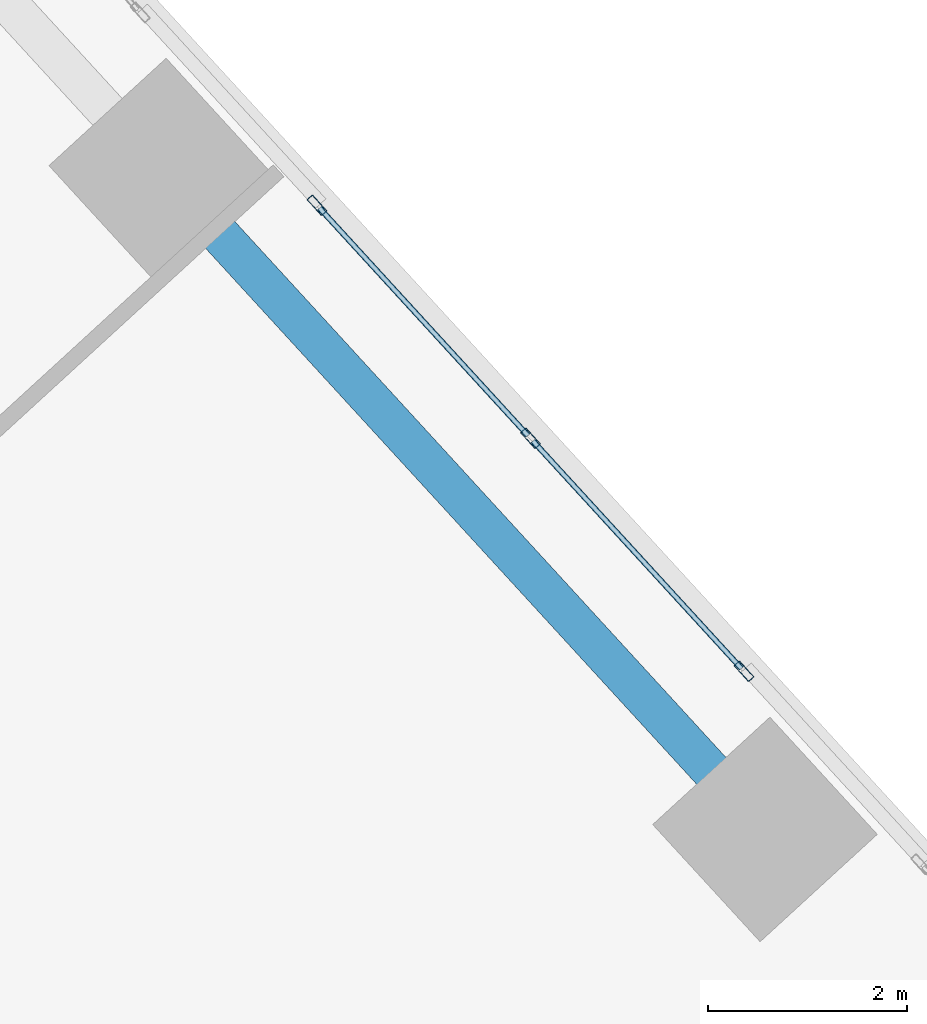
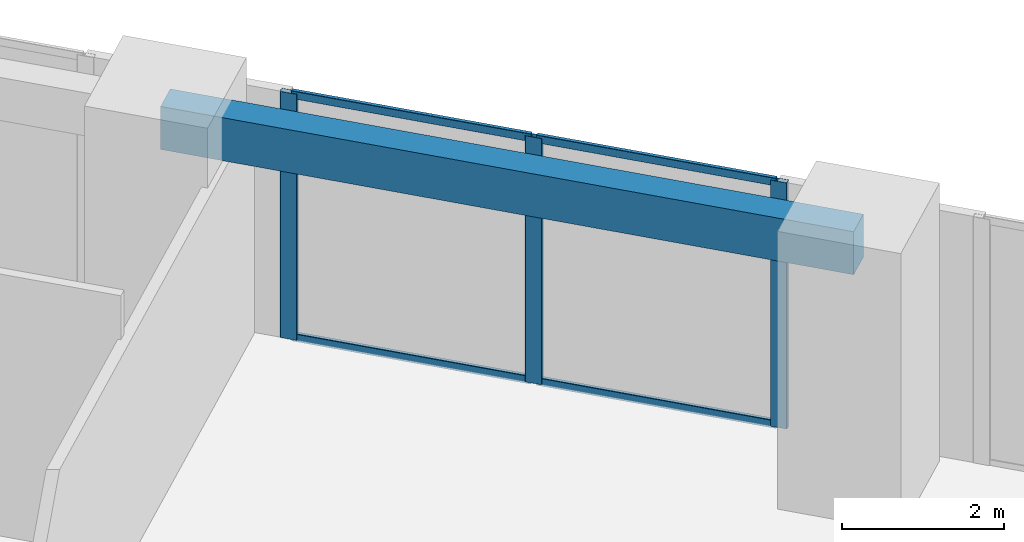
# One storey, part 7 of 17: 7 members, 1 beam, 1 element without a shape of its own.
"""IFC4 building model written with IfcOpenShell, lengths in metres."""

from ifc_helpers import new_model, si_unit, direction, frame, origin, origin_2d, place, context, subcontext, project, spatial, rectangle, hollow_rectangle, extrude, source, transform, mapped, material, material_profile, profile_set, type_object, element, aggregate, save


model = new_model("IFC4")

# Units and contexts
model_context = context("Model", 3, precision=1e-05, world=origin(), true_north=direction((0.0, 1.0)))
body_context = subcontext(model_context, "Body", "Model", "MODEL_VIEW")
ifc_project = project(units=[si_unit("LENGTHUNIT", "METRE"), si_unit("AREAUNIT", "SQUARE_METRE"), si_unit("VOLUMEUNIT", "CUBIC_METRE"), si_unit("PLANEANGLEUNIT", "RADIAN"), si_unit("MASSUNIT", "GRAM", prefix="KILO")], contexts=[model_context])

# Site, building, storey
site_placement = place(None, origin())
site = spatial("IfcSite", under=ifc_project, at=site_placement, CompositionType="ELEMENT")
building_placement = place(site_placement, origin())
building = spatial("IfcBuilding", under=site, at=building_placement, Name="Torre Montelarca", CompositionType="ELEMENT")
storey_placement = place(building_placement, frame((0.0, 0.0, 254.199951171875)))
storey = spatial("IfcBuildingStorey", under=building, at=storey_placement, Name="L57", CompositionType="ELEMENT", Elevation=254.199951171875)

# Beam
ifc_material_1 = material(Name="Concrete C40/50", Category="concrete")
ifc_material_profile_1 = material_profile(ifc_material_1, rectangle(XDim=0.39990234375, YDim=0.64990234375, at=origin_2d()), Name="RCB400X650", Category="concrete")
ifc_profile_set_1 = profile_set([ifc_material_profile_1], Name="Concrete C40/50")
beam_type = type_object("IfcBeamType", Name="BM-SP-RC650-EXT", PredefinedType="SPANDREL", material=ifc_profile_set_1)
shared_shape_1 = source(origin(), body_context, "Body", "SweptSolid", [
    extrude(rectangle(XDim=0.39990234375, YDim=0.64990234375, at=origin_2d()), origin(), (0.0, 0.0, 1.0), 9.0),
])
beam_placement = place(storey_placement, frame((36.385498046875, 38.18017578125, 3.635009765625), z_axis=(0.675590724023, -0.73727686361, 0.0), x_axis=(0.73727686361, 0.675590724023, 0.0)))
element("IfcBeam", 1, at=beam_placement, inside=storey, type_object=beam_type, Name="L57 Grid Girder X 27.0-36.0 at Y=47.1", PredefinedType="SPANDREL", context=body_context, shape_type="MappedRepresentation", body=[
    mapped(shared_shape_1, transform((0.0, 0.0, 0.0), scale=1.0)),
])

# Curtain wall, members
ifc_material_2 = material(Name="Insulated low-E laminated glass", Category="glass")
curtain_wall_type = type_object("IfcCurtainWallType", Name="CW-SYS-Z3", PredefinedType="USERDEFINED", material=ifc_material_2)
curtain_wall_placement = place(storey_placement, origin())
curtain_wall = element("IfcCurtainWall", 2, at=curtain_wall_placement, inside=storey, type_object=curtain_wall_type, Name="L57 Curtain Wall Run CW-T3-L57-E08-B2", ObjectType="UNITISED GLAZING", PredefinedType="USERDEFINED")
ifc_material_3 = material(Name="Anodised aluminium AA 6063-T6", Category="aluminium")
ifc_material_profile_2 = material_profile(ifc_material_3, hollow_rectangle(XDim=0.074951171875, YDim=0.219970703125, WallThickness=0.0048828125, InnerFilletRadius=0.0048828125, OuterFilletRadius=0.010009765625, at=origin_2d()), Name="ALU75X220X5", Category="aluminium")
ifc_profile_set_2 = profile_set([ifc_material_profile_2], Name="Anodised aluminium AA 6063-T6")
member_type_1 = type_object("IfcMemberType", Name="CWM-ALU220", PredefinedType="MULLION", material=ifc_profile_set_2)
shared_shape_2 = source(origin(), body_context, "Body", "SweptSolid", [
    extrude(hollow_rectangle(XDim=0.074951171875, YDim=0.219970703125, WallThickness=0.0048828125, InnerFilletRadius=0.0048828125, OuterFilletRadius=0.010009765625, at=origin_2d()), origin(), (0.0, 0.0, 1.0), 3.719970703125),
])
member_1_placement = place(storey_placement, frame((42.25390625, 33.137451171875, 0.0), z_axis=(0.0, 0.0, 1.0), x_axis=(-0.737279815472, -0.675587502621, 0.0)))
member_1 = element("IfcMember", 3, at=member_1_placement, type_object=member_type_1, Name="CW mullion 1", PredefinedType="MULLION", context=body_context, shape_type="MappedRepresentation", body=[
    mapped(shared_shape_2, transform((0.0, 0.0, 0.0), scale=1.0)),
])
member_2_placement = place(storey_placement, frame((40.10400390625, 35.48388671875, 0.0), z_axis=(0.0, 0.0, 1.0), x_axis=(-0.737279815472, -0.675587502621, 0.0)))
member_2 = element("IfcMember", 4, at=member_2_placement, type_object=member_type_1, Name="CW mullion 2", PredefinedType="MULLION", context=body_context, shape_type="MappedRepresentation", body=[
    mapped(shared_shape_2, transform((0.0, 0.0, 0.0), scale=1.0)),
])
member_3_placement = place(storey_placement, frame((37.953857421875, 37.830322265625, 0.0), z_axis=(0.0, 0.0, 1.0), x_axis=(-0.737279815472, -0.675587502621, 0.0)))
member_3 = element("IfcMember", 5, at=member_3_placement, type_object=member_type_1, Name="CW mullion 3", PredefinedType="MULLION", context=body_context, shape_type="MappedRepresentation", body=[
    mapped(shared_shape_2, transform((0.0, 0.0, 0.0), scale=1.0)),
])
ifc_material_profile_3 = material_profile(ifc_material_3, hollow_rectangle(XDim=0.054931640625, YDim=0.1201171875, WallThickness=0.00341796875, InnerFilletRadius=0.00341796875, OuterFilletRadius=0.007080078125, at=origin_2d()), Name="ALU55X120X3.5", Category="aluminium")
ifc_profile_set_3 = profile_set([ifc_material_profile_3], Name="Anodised aluminium AA 6063-T6")
member_type_2 = type_object("IfcMemberType", Name="CWT-ALU120", PredefinedType="USERDEFINED", material=ifc_profile_set_3)
shared_shape_3 = source(origin(), body_context, "Body", "SweptSolid", [
    extrude(hollow_rectangle(XDim=0.054931640625, YDim=0.1201171875, WallThickness=0.00341796875, InnerFilletRadius=0.00341796875, OuterFilletRadius=0.007080078125, at=origin_2d()), origin(), (0.0, 0.0, 1.0), 3.107421875),
])
member_4_placement = place(storey_placement, frame((42.228515625, 33.165283203125, 0.027587890625), z_axis=(-0.675596539491, 0.737271534665, 0.0), x_axis=(-0.737271534665, -0.675596539491, 0.0)))
member_4 = element("IfcMember", 6, at=member_4_placement, type_object=member_type_2, Name="CW transom 1.1", ObjectType="TRANSOM", PredefinedType="USERDEFINED", context=body_context, shape_type="MappedRepresentation", body=[
    mapped(shared_shape_3, transform((0.0, 0.0, 0.0), scale=1.0)),
])
member_5_placement = place(storey_placement, frame((42.228515625, 33.165283203125, 3.692626953125), z_axis=(-0.675596539491, 0.737271534665, 0.0), x_axis=(-0.737271534665, -0.675596539491, 0.0)))
member_5 = element("IfcMember", 7, at=member_5_placement, type_object=member_type_2, Name="CW transom 1.2", ObjectType="TRANSOM", PredefinedType="USERDEFINED", context=body_context, shape_type="MappedRepresentation", body=[
    mapped(shared_shape_3, transform((0.0, 0.0, 0.0), scale=1.0)),
])
member_6_placement = place(storey_placement, frame((40.07861328125, 35.51171875, 0.027587890625), z_axis=(-0.675596539491, 0.737271534665, 0.0), x_axis=(-0.737271534665, -0.675596539491, 0.0)))
member_6 = element("IfcMember", 8, at=member_6_placement, type_object=member_type_2, Name="CW transom 2.1", ObjectType="TRANSOM", PredefinedType="USERDEFINED", context=body_context, shape_type="MappedRepresentation", body=[
    mapped(shared_shape_3, transform((0.0, 0.0, 0.0), scale=1.0)),
])
member_7_placement = place(storey_placement, frame((40.07861328125, 35.51171875, 3.692626953125), z_axis=(-0.675596539491, 0.737271534665, 0.0), x_axis=(-0.737271534665, -0.675596539491, 0.0)))
member_7 = element("IfcMember", 9, at=member_7_placement, type_object=member_type_2, Name="CW transom 2.2", ObjectType="TRANSOM", PredefinedType="USERDEFINED", context=body_context, shape_type="MappedRepresentation", body=[
    mapped(shared_shape_3, transform((0.0, 0.0, 0.0), scale=1.0)),
])
aggregate(curtain_wall, [member_1, member_2, member_3, member_4, member_5, member_6, member_7])

save(model, "model.ifc")
